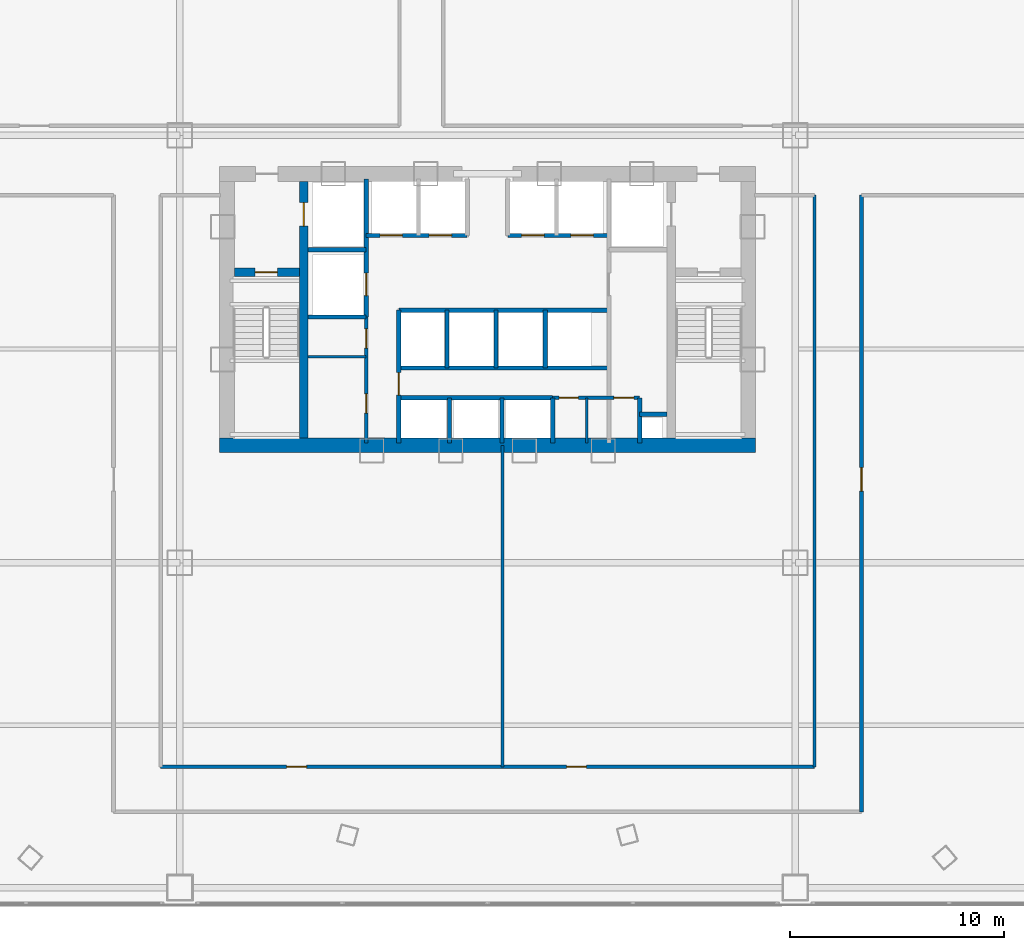
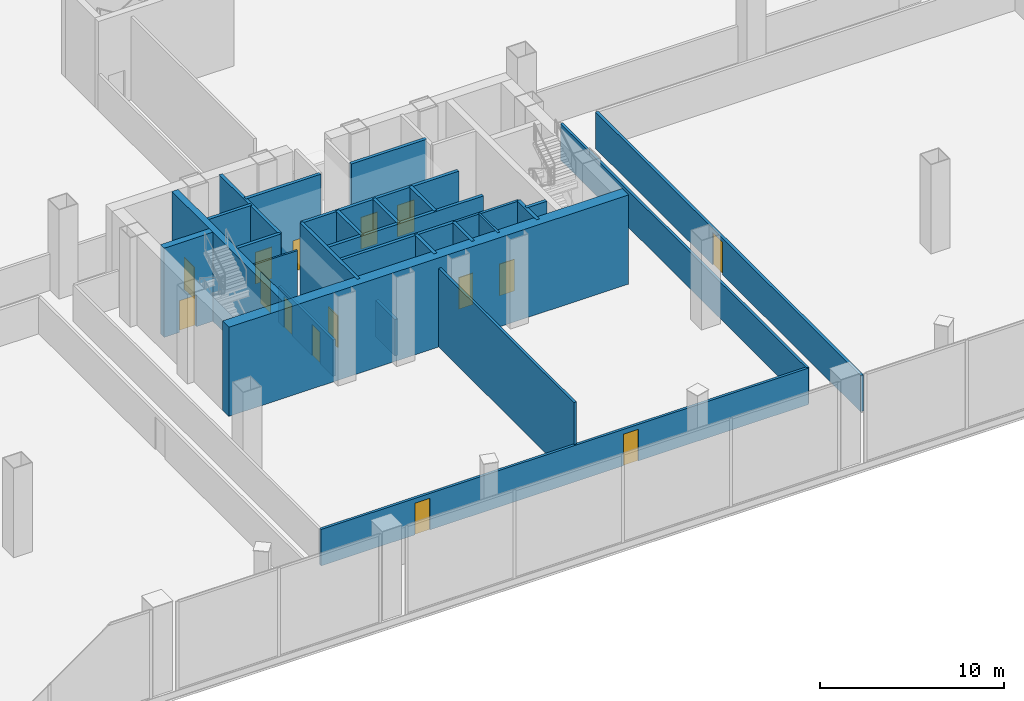
# One storey, part 34 of 41: 28 walls, 15 doors, 15 openings.
"""IFC4 building model written with IfcOpenShell, lengths in metres."""

from ifc_helpers import new_model, si_unit, direction, frame, frame_2d, origin, origin_with_axes, place, context, subcontext, project, spatial, rectangle, extrude, source, transform, mapped, material, layer, layer_set, type_object, element, fill, save


model = new_model("IFC4")

# Units and contexts
model_context = context("Model", 3, precision=1e-05, world=origin(), true_north=direction((0.0, 1.0)))
body_context = subcontext(model_context, "Body", "Model", "MODEL_VIEW")
ifc_project = project(units=[si_unit("LENGTHUNIT", "METRE"), si_unit("AREAUNIT", "SQUARE_METRE"), si_unit("VOLUMEUNIT", "CUBIC_METRE"), si_unit("PLANEANGLEUNIT", "RADIAN"), si_unit("MASSUNIT", "GRAM", prefix="KILO"), si_unit("THERMODYNAMICTEMPERATUREUNIT", "KELVIN"), si_unit("POWERUNIT", "WATT")], contexts=[model_context])

# Site, building, storey
site_placement = place(None, origin())
site = spatial("IfcSite", under=ifc_project, at=site_placement, CompositionType="ELEMENT")
building_placement = place(site_placement, origin())
building = spatial("IfcBuilding", under=site, at=building_placement, Name="Yunzhuo Pagoda Commons", CompositionType="ELEMENT")
storey_placement = place(building_placement, frame((0.0, 0.0, 19.199951171875)))
storey = spatial("IfcBuildingStorey", under=building, at=storey_placement, Name="L05", CompositionType="ELEMENT", Elevation=19.199951171875)

# Wall
ifc_material_1 = material(Name="Concrete C60", Category="concrete")
ifc_layer_1 = layer(ifc_material_1, 0.699951171875)
ifc_layer_set_1 = layer_set([ifc_layer_1], Name="Concrete C60")
wall_type_1 = type_object("IfcWallType", Name="W-C01 Lower Core Shear Wall 700", PredefinedType="SHEAR", material=ifc_layer_set_1)
wall_1_placement = place(storey_placement, frame((35.449951171875, 27.5, 0.0), z_axis=(0.0, 0.0, 1.0), x_axis=(1.0, 0.0, 0.0)))
element("IfcWall", 1, at=wall_1_placement, inside=storey, type_object=wall_type_1, Name="L05 core shear wall S", PredefinedType="SHEAR", context=body_context, shape_type="SweptSolid", body=[
    extrude(rectangle(XDim=25.10009765625, YDim=0.699951171875, at=frame_2d((12.550048828125, 0.0))), origin(), (0.0, 0.0, 1.0), 5.920166015625),
])

# Wall, openings, doors
ifc_material_2 = material(Name="Gypsum plasterboard on acoustic stud")
ifc_layer_2 = layer(ifc_material_2, 0.159912109375)
ifc_layer_set_2 = layer_set([ifc_layer_2], Name="Gypsum plasterboard on acoustic stud")
wall_type_2 = type_object("IfcWallType", Name="W-COR1 Tower Rated Corridor Wall 160", PredefinedType="PARTITIONING", material=ifc_layer_set_2)
wall_2_placement = place(storey_placement, frame((42.320068359375, 27.60009765625, 0.0), z_axis=(0.0, 0.0, 1.0), x_axis=(0.0, 1.0, 0.0)))
wall_2 = element("IfcWall", 2, at=wall_2_placement, inside=storey, type_object=wall_type_2, Name="L05 interior wall IW-L05-CSWE", PredefinedType="PARTITIONING", context=body_context, shape_type="SweptSolid", body=[
    extrude(rectangle(XDim=5.89990234375, YDim=0.159912109375, at=frame_2d((2.949951171875, 0.0))), origin(), (0.0, 0.0, 1.0), 2.420166015625),
])
opening_1_placement = place(wall_2_placement, frame((1.39990234375, 0.0, 0.0)))
opening_1 = element("IfcOpeningElement", 3, at=opening_1_placement, cuts=wall_2, Name="Opening D-03", PredefinedType="OPENING", context=body_context, shape_type="SweptSolid", body=[
    extrude(rectangle(XDim=0.89990234375, YDim=2.10009765625, at=frame_2d((0.449951171875, 1.050048828125))), frame((0.0, 0.08984375, 0.0), z_axis=(0.0, -1.0, 0.0), x_axis=(1.0, 0.0, 0.0)), (0.0, 0.0, 1.0), 0.179931640625),
])
opening_2_placement = place(wall_2_placement, frame((4.449951171875, 0.0, 0.0)))
opening_2 = element("IfcOpeningElement", 4, at=opening_2_placement, cuts=wall_2, Name="Opening D-03", PredefinedType="OPENING", context=body_context, shape_type="SweptSolid", body=[
    extrude(rectangle(XDim=0.89990234375, YDim=2.10009765625, at=frame_2d((0.449951171875, 1.050048828125))), frame((0.0, 0.08984375, 0.0), z_axis=(0.0, -1.0, 0.0), x_axis=(1.0, 0.0, 0.0)), (0.0, 0.0, 1.0), 0.179931640625),
])
ifc_material_3 = material(Name="Galvanized fire-resisting metal leaf")
door_type_1 = type_object("IfcDoorType", Name="D-03 Core Service Fire Door 900x2100", OperationType="NOTDEFINED", PredefinedType="DOOR", material=ifc_material_3)
shared_shape_1 = source(origin(), body_context, "Body", "SweptSolid", [
    extrude(rectangle(XDim=0.89990234375, YDim=2.10009765625, at=frame_2d((0.449951171875, 1.050048828125))), frame((0.0, 0.02490234375, 0.0), z_axis=(0.0, -1.0, 0.0), x_axis=(1.0, 0.0, 0.0)), (0.0, 0.0, 1.0), 0.050048828125),
])
door_1_placement = place(opening_1_placement, origin_with_axes())
door_1 = element("IfcDoor", 5, at=door_1_placement, inside=storey, type_object=door_type_1, Name="L05 service store door", OperationType="SINGLE_SWING_LEFT", OverallHeight=2.10009765625, OverallWidth=0.89990234375, PredefinedType="DOOR", context=body_context, shape_type="MappedRepresentation", body=[
    mapped(shared_shape_1, transform((0.0, 0.0, 0.0), scale=1.0)),
])
fill(opening_1, door_1)
door_2_placement = place(opening_2_placement, origin_with_axes())
door_2 = element("IfcDoor", 6, at=door_2_placement, inside=storey, type_object=door_type_1, Name="L05 switch closet door", OperationType="SINGLE_SWING_RIGHT", OverallHeight=2.10009765625, OverallWidth=0.89990234375, PredefinedType="DOOR", context=body_context, shape_type="MappedRepresentation", body=[
    mapped(shared_shape_1, transform((0.0, 0.0, 0.0), scale=1.0)),
])
fill(opening_2, door_2)

wall_3_placement = place(storey_placement, frame((51.050048828125, 29.719970703125, 0.0), z_axis=(0.0, 0.0, 1.0), x_axis=(1.0, 0.0, 0.0)))
wall_3 = element("IfcWall", 7, at=wall_3_placement, inside=storey, type_object=wall_type_2, Name="L05 interior wall IW-L05-CSES", PredefinedType="PARTITIONING", context=body_context, shape_type="SweptSolid", body=[
    extrude(rectangle(XDim=4.070068359375, YDim=0.159912109375, at=frame_2d((2.03515625, 0.0))), origin(), (0.0, 0.0, 1.0), 5.920166015625),
])
opening_3_placement = place(wall_3_placement, frame((0.300048828125, 0.0, 0.0)))
opening_3 = element("IfcOpeningElement", 8, at=opening_3_placement, cuts=wall_3, Name="Opening D-03", PredefinedType="OPENING", context=body_context, shape_type="SweptSolid", body=[
    extrude(rectangle(XDim=0.89990234375, YDim=2.10009765625, at=frame_2d((0.449951171875, 1.050048828125))), frame((0.0, 0.08984375, 0.0), z_axis=(0.0, -1.0, 0.0), x_axis=(1.0, 0.0, 0.0)), (0.0, 0.0, 1.0), 0.179931640625),
])
opening_4_placement = place(wall_3_placement, frame((2.860107421875, 0.0, 0.0)))
opening_4 = element("IfcOpeningElement", 9, at=opening_4_placement, cuts=wall_3, Name="Opening D-11", PredefinedType="OPENING", context=body_context, shape_type="SweptSolid", body=[
    extrude(rectangle(XDim=0.93994140625, YDim=2.10009765625, at=frame_2d((0.469970703125, 1.050048828125))), frame((0.0, 0.08984375, 0.0), z_axis=(0.0, -1.0, 0.0), x_axis=(1.0, 0.0, 0.0)), (0.0, 0.0, 1.0), 0.179931640625),
])
door_3_placement = place(opening_3_placement, origin_with_axes())
door_3 = element("IfcDoor", 10, at=door_3_placement, inside=storey, type_object=door_type_1, Name="L05 cleaner door", OperationType="SINGLE_SWING_LEFT", OverallHeight=2.10009765625, OverallWidth=0.89990234375, PredefinedType="DOOR", context=body_context, shape_type="MappedRepresentation", body=[
    mapped(shared_shape_1, transform((0.0, 0.0, 0.0), scale=1.0)),
])
fill(opening_3, door_3)
door_type_2 = type_object("IfcDoorType", Name="D-11 Accessible Washroom Fire Door 940x2100", OperationType="NOTDEFINED", PredefinedType="DOOR", material=ifc_material_3)
shared_shape_2 = source(origin(), body_context, "Body", "SweptSolid", [
    extrude(rectangle(XDim=0.93994140625, YDim=2.10009765625, at=frame_2d((0.469970703125, 1.050048828125))), frame((0.0, 0.02490234375, 0.0), z_axis=(0.0, -1.0, 0.0), x_axis=(1.0, 0.0, 0.0)), (0.0, 0.0, 1.0), 0.050048828125),
])
door_4_placement = place(opening_4_placement, origin_with_axes())
door_4 = element("IfcDoor", 11, at=door_4_placement, inside=storey, type_object=door_type_2, Name="L05 core WC door", OperationType="SINGLE_SWING_RIGHT", OverallHeight=2.10009765625, OverallWidth=0.93994140625, PredefinedType="DOOR", context=body_context, shape_type="MappedRepresentation", body=[
    mapped(shared_shape_2, transform((0.0, 0.0, 0.0), scale=1.0)),
])
fill(opening_4, door_4)

wall_4_placement = place(storey_placement, frame((32.699951171875, 12.449951171875, 0.0), z_axis=(0.0, 0.0, 1.0), x_axis=(1.0, 0.0, 0.0)))
wall_4 = element("IfcWall", 12, at=wall_4_placement, inside=storey, type_object=wall_type_2, Name="L05 interior wall IW-L05-PSMID", PredefinedType="PARTITIONING", context=body_context, shape_type="SweptSolid", body=[
    extrude(rectangle(XDim=30.60009765625, YDim=0.159912109375, at=frame_2d((15.300048828125, 0.0))), origin(), (0.0, 0.0, 1.0), 2.420166015625),
])
opening_5_placement = place(wall_4_placement, frame((19.0, 0.0, 0.0)))
opening_5 = element("IfcOpeningElement", 13, at=opening_5_placement, cuts=wall_4, Name="Opening D-04", PredefinedType="OPENING", context=body_context, shape_type="SweptSolid", body=[
    extrude(rectangle(XDim=0.919921875, YDim=2.10009765625, at=frame_2d((0.4599609375, 1.050048828125))), frame((0.0, 0.08984375, 0.0), z_axis=(0.0, -1.0, 0.0), x_axis=(1.0, 0.0, 0.0)), (0.0, 0.0, 1.0), 0.179931640625),
])
opening_6_placement = place(wall_4_placement, frame((5.89990234375, 0.0, 0.0)))
opening_6 = element("IfcOpeningElement", 14, at=opening_6_placement, cuts=wall_4, Name="Opening D-11", PredefinedType="OPENING", context=body_context, shape_type="SweptSolid", body=[
    extrude(rectangle(XDim=0.93994140625, YDim=2.10009765625, at=frame_2d((0.469970703125, 1.050048828125))), frame((0.0, 0.08984375, 0.0), z_axis=(0.0, -1.0, 0.0), x_axis=(1.0, 0.0, 0.0)), (0.0, 0.0, 1.0), 0.179931640625),
])
door_5_placement = place(opening_6_placement, origin_with_axes())
door_5 = element("IfcDoor", 15, at=door_5_placement, inside=storey, type_object=door_type_2, Name="L05 washroom door", OperationType="SINGLE_SWING_RIGHT", OverallHeight=2.10009765625, OverallWidth=0.93994140625, PredefinedType="DOOR", context=body_context, shape_type="MappedRepresentation", body=[
    mapped(shared_shape_2, transform((0.0, 0.0, 0.0), scale=1.0)),
])
fill(opening_6, door_5)
ifc_material_4 = material(Name="Powder-coated aluminium and timber acoustic leaf", Category="wood")
door_type_3 = type_object("IfcDoorType", Name="D-04 Bedroom & Study Interior Door 920x2100", OperationType="NOTDEFINED", PredefinedType="DOOR", material=ifc_material_4)
shared_shape_3 = source(origin(), body_context, "Body", "SweptSolid", [
    extrude(rectangle(XDim=0.919921875, YDim=2.10009765625, at=frame_2d((0.4599609375, 1.050048828125))), frame((0.0, 0.02490234375, 0.0), z_axis=(0.0, -1.0, 0.0), x_axis=(1.0, 0.0, 0.0)), (0.0, 0.0, 1.0), 0.050048828125),
])
door_6_placement = place(opening_5_placement, origin_with_axes())
door_6 = element("IfcDoor", 16, at=door_6_placement, inside=storey, type_object=door_type_3, Name="L05 Central Laundry Hub door", OperationType="SINGLE_SWING_LEFT", OverallHeight=2.10009765625, OverallWidth=0.919921875, PredefinedType="DOOR", context=body_context, shape_type="MappedRepresentation", body=[
    mapped(shared_shape_3, transform((0.0, 0.0, 0.0), scale=1.0)),
])
fill(opening_5, door_6)

# Walls
wall_5_placement = place(storey_placement, frame((63.300048828125, 12.449951171875, 0.0), z_axis=(0.0, 0.0, 1.0), x_axis=(0.0, 1.0, 0.0)))
element("IfcWall", 17, at=wall_5_placement, inside=storey, type_object=wall_type_2, Name="L05 interior wall IW-L05-PSME", PredefinedType="PARTITIONING", context=body_context, shape_type="SweptSolid", body=[
    extrude(rectangle(XDim=26.75, YDim=0.159912109375, at=frame_2d((13.375, 0.0))), origin(), (0.0, 0.0, 1.0), 2.420166015625),
])
wall_6_placement = place(storey_placement, frame((48.699951171875, 12.449951171875, 0.0), z_axis=(0.0, 0.0, 1.0), x_axis=(0.0, 1.0, 0.0)))
element("IfcWall", 18, at=wall_6_placement, inside=storey, type_object=wall_type_2, Name="L05 interior wall IW-L05-PWCDV", PredefinedType="PARTITIONING", context=body_context, shape_type="SweptSolid", body=[
    extrude(rectangle(XDim=15.050048828125, YDim=0.159912109375, at=frame_2d((7.52490234375, 0.0))), origin(), (0.0, 0.0, 1.0), 5.219970703125),
])
ifc_layer_3 = layer(ifc_material_2, 0.1201171875)
ifc_layer_set_3 = layer_set([ifc_layer_3], Name="Gypsum plasterboard on acoustic stud")
wall_type_3 = type_object("IfcWallType", Name="W-PRT1 Suite & Bathroom Partition 120", PredefinedType="PARTITIONING", material=ifc_layer_set_3)
wall_7_placement = place(storey_placement, frame((39.60009765625, 31.64990234375, 0.0), z_axis=(0.0, 0.0, 1.0), x_axis=(1.0, 0.0, 0.0)))
element("IfcWall", 19, at=wall_7_placement, inside=storey, type_object=wall_type_3, Name="L05 interior wall IW-L05-CD1", PredefinedType="PARTITIONING", context=body_context, shape_type="SweptSolid", body=[
    extrude(rectangle(XDim=2.719970703125, YDim=0.1201171875, at=frame_2d((1.35986328125, 0.0))), origin(), (0.0, 0.0, 1.0), 5.920166015625),
])
wall_8_placement = place(storey_placement, frame((52.64990234375, 27.60009765625, 0.0), z_axis=(0.0, 0.0, 1.0), x_axis=(0.0, 1.0, 0.0)))
element("IfcWall", 20, at=wall_8_placement, inside=storey, type_object=wall_type_3, Name="L05 interior wall IW-L05-CD2", PredefinedType="PARTITIONING", context=body_context, shape_type="SweptSolid", body=[
    extrude(rectangle(XDim=2.119873046875, YDim=0.1201171875, at=frame_2d((1.06005859375, 0.0))), origin(), (0.0, 0.0, 1.0), 5.920166015625),
])

# Wall, opening, door
ifc_layer_4 = layer(ifc_material_2, 0.179931640625)
ifc_layer_set_4 = layer_set([ifc_layer_4], Name="Gypsum plasterboard on acoustic stud")
wall_type_4 = type_object("IfcWallType", Name="W-PRT2 Acoustic Unit Demising Wall 180", PredefinedType="PARTITIONING", material=ifc_layer_set_4)
wall_9_placement = place(storey_placement, frame((65.5, 10.35009765625, 0.0), z_axis=(0.0, 0.0, 1.0), x_axis=(0.0, 1.0, 0.0)))
wall_9 = element("IfcWall", 21, at=wall_9_placement, inside=storey, type_object=wall_type_4, Name="L05 interior wall IW-L05-PEAST", PredefinedType="PARTITIONING", context=body_context, shape_type="SweptSolid", body=[
    extrude(rectangle(XDim=28.849853515625, YDim=0.179931640625, at=frame_2d((14.4248046875, 0.0))), origin(), (0.0, 0.0, 1.0), 2.420166015625),
])
opening_7_placement = place(wall_9_placement, frame((15.0, 0.0, 0.0)))
opening_7 = element("IfcOpeningElement", 22, at=opening_7_placement, cuts=wall_9, Name="Opening D-09", PredefinedType="OPENING", context=body_context, shape_type="SweptSolid", body=[
    extrude(rectangle(XDim=1.10009765625, YDim=2.14990234375, at=frame_2d((0.550048828125, 1.074951171875))), frame((0.0, 0.10009765625, 0.0), z_axis=(0.0, -1.0, 0.0), x_axis=(1.0, 0.0, 0.0)), (0.0, 0.0, 1.0), 0.199951171875),
])
door_type_4 = type_object("IfcDoorType", Name="D-09 Podium Commons Hall Fire Door 1100x2150", OperationType="NOTDEFINED", PredefinedType="DOOR", material=ifc_material_3)
shared_shape_4 = source(origin(), body_context, "Body", "SweptSolid", [
    extrude(rectangle(XDim=1.10009765625, YDim=2.14990234375, at=frame_2d((0.550048828125, 1.074951171875))), frame((0.0, 0.02490234375, 0.0), z_axis=(0.0, -1.0, 0.0), x_axis=(1.0, 0.0, 0.0)), (0.0, 0.0, 1.0), 0.050048828125),
])
door_7_placement = place(opening_7_placement, frame((1.10009765625, 0.0, 0.0), z_axis=(0.0, 0.0, 1.0), x_axis=(-1.0, 0.0, 0.0)))
door_7 = element("IfcDoor", 23, at=door_7_placement, inside=storey, type_object=door_type_4, Name="L05 Music Practice Suite door", OperationType="SINGLE_SWING_RIGHT", OverallHeight=2.14990234375, OverallWidth=1.10009765625, PredefinedType="DOOR", context=body_context, shape_type="MappedRepresentation", body=[
    mapped(shared_shape_4, transform((0.0, 0.0, 0.0), scale=1.0)),
])
fill(opening_7, door_7)

ifc_layer_5 = layer(ifc_material_1, 0.39990234375)
ifc_layer_set_5 = layer_set([ifc_layer_5], Name="Concrete C60")
wall_type_5 = type_object("IfcWallType", Name="W-S01 Internal Core Shear Web 400", PredefinedType="SHEAR", material=ifc_layer_set_5)
wall_10_placement = place(storey_placement, frame((39.39990234375, 27.85009765625, 0.0), z_axis=(0.0, 0.0, 1.0), x_axis=(0.0, 1.0, 0.0)))
wall_10 = element("IfcWall", 24, at=wall_10_placement, inside=storey, type_object=wall_type_5, Name="L05 core shear wall WEBW", PredefinedType="SHEAR", context=body_context, shape_type="SweptSolid", body=[
    extrude(rectangle(XDim=12.0, YDim=0.39990234375, at=frame_2d((6.0, 0.0))), origin(), (0.0, 0.0, 1.0), 5.920166015625),
])
opening_8_placement = place(wall_10_placement, frame((9.89990234375, 0.0, 0.0)))
opening_8 = element("IfcOpeningElement", 25, at=opening_8_placement, cuts=wall_10, Name="Opening LD-01", PredefinedType="OPENING", context=body_context, shape_type="SweptSolid", body=[
    extrude(rectangle(XDim=1.10009765625, YDim=2.10009765625, at=frame_2d((0.550048828125, 1.050048828125))), frame((0.0, 0.2099609375, 0.0), z_axis=(0.0, -1.0, 0.0), x_axis=(1.0, 0.0, 0.0)), (0.0, 0.0, 1.0), 0.419921875),
])
door_type_5 = type_object("IfcDoorType", Name="LD-01 Firefighting Lift Landing Door 1100x2100", OperationType="DOUBLE_DOOR_SLIDING", PredefinedType="DOOR", material=ifc_material_3)
shared_shape_5 = source(origin(), body_context, "Body", "SweptSolid", [
    extrude(rectangle(XDim=1.10009765625, YDim=2.10009765625, at=frame_2d((0.550048828125, 1.050048828125))), frame((0.0, 0.02490234375, 0.0), z_axis=(0.0, -1.0, 0.0), x_axis=(1.0, 0.0, 0.0)), (0.0, 0.0, 1.0), 0.050048828125),
])
door_8_placement = place(opening_8_placement, frame((1.10009765625, 0.0, 0.0), z_axis=(0.0, 0.0, 1.0), x_axis=(-1.0, 0.0, 0.0)))
door_8 = element("IfcDoor", 26, at=door_8_placement, inside=storey, type_object=door_type_5, Name="L05 Firefighting lift FL-1 landing door", OperationType="DOUBLE_DOOR_SLIDING", OverallHeight=2.10009765625, OverallWidth=1.10009765625, PredefinedType="DOOR", context=body_context, shape_type="MappedRepresentation", body=[
    mapped(shared_shape_5, transform((0.0, 0.0, 0.0), scale=1.0)),
])
fill(opening_8, door_8)

wall_11_placement = place(storey_placement, frame((36.14990234375, 35.60009765625, 0.0), z_axis=(0.0, 0.0, 1.0), x_axis=(1.0, 0.0, 0.0)))
wall_11 = element("IfcWall", 27, at=wall_11_placement, inside=storey, type_object=wall_type_5, Name="L05 core shear wall STW", PredefinedType="SHEAR", context=body_context, shape_type="SweptSolid", body=[
    extrude(rectangle(XDim=3.050048828125, YDim=0.39990234375, at=frame_2d((1.52490234375, 0.0))), origin(), (0.0, 0.0, 1.0), 5.920166015625),
])
opening_9_placement = place(wall_11_placement, frame((0.969970703125, 0.0, 0.0)))
opening_9 = element("IfcOpeningElement", 28, at=opening_9_placement, cuts=wall_11, Name="Opening D-01", PredefinedType="OPENING", context=body_context, shape_type="SweptSolid", body=[
    extrude(rectangle(XDim=1.050048828125, YDim=2.10009765625, at=frame_2d((0.52490234375, 1.050048828125))), frame((0.0, 0.2099609375, 0.0), z_axis=(0.0, -1.0, 0.0), x_axis=(1.0, 0.0, 0.0)), (0.0, 0.0, 1.0), 0.419921875),
])
door_type_6 = type_object("IfcDoorType", Name="D-01 Smokeproof Stair Fire Door 1050x2100", OperationType="NOTDEFINED", PredefinedType="DOOR", material=ifc_material_3)
shared_shape_6 = source(origin(), body_context, "Body", "SweptSolid", [
    extrude(rectangle(XDim=1.050048828125, YDim=2.10009765625, at=frame_2d((0.52490234375, 1.050048828125))), frame((0.0, 0.02490234375, 0.0), z_axis=(0.0, -1.0, 0.0), x_axis=(1.0, 0.0, 0.0)), (0.0, 0.0, 1.0), 0.050048828125),
])
door_9_placement = place(opening_9_placement, frame((1.050048828125, 0.0, 0.0), z_axis=(0.0, 0.0, 1.0), x_axis=(-1.0, 0.0, 0.0)))
door_9 = element("IfcDoor", 29, at=door_9_placement, inside=storey, type_object=door_type_6, Name="L05 Stair ST1 fire door", OperationType="SINGLE_SWING_LEFT", OverallHeight=2.10009765625, OverallWidth=1.050048828125, PredefinedType="DOOR", context=body_context, shape_type="MappedRepresentation", body=[
    mapped(shared_shape_6, transform((0.0, 0.0, 0.0), scale=1.0)),
])
fill(opening_9, door_9)

ifc_material_5 = material(Name="Concrete C40", Category="concrete")
ifc_layer_6 = layer(ifc_material_5, 0.199951171875)
ifc_layer_set_6 = layer_set([ifc_layer_6], Name="Concrete C40")
wall_type_6 = type_object("IfcWallType", Name="W-SHF Shaft & Stair Enclosure Wall 200", PredefinedType="SOLIDWALL", material=ifc_layer_set_6)
wall_12_placement = place(storey_placement, frame((42.320068359375, 33.5, 0.0), z_axis=(0.0, 0.0, 1.0), x_axis=(0.0, 1.0, 0.0)))
wall_12 = element("IfcWall", 30, at=wall_12_placement, inside=storey, type_object=wall_type_6, Name="L05 interior wall IW-L05-FL1E", PredefinedType="SOLIDWALL", context=body_context, shape_type="SweptSolid", body=[
    extrude(rectangle(XDim=6.449951171875, YDim=0.199951171875, at=frame_2d((3.22509765625, 0.0))), origin(), (0.0, 0.0, 1.0), 5.920166015625),
])
opening_10_placement = place(wall_12_placement, frame((1.0, 0.0, 0.0)))
opening_10 = element("IfcOpeningElement", 31, at=opening_10_placement, cuts=wall_12, Name="Opening LD-02", PredefinedType="OPENING", context=body_context, shape_type="SweptSolid", body=[
    extrude(rectangle(XDim=1.050048828125, YDim=2.10009765625, at=frame_2d((0.52490234375, 1.050048828125))), frame((0.0, 0.10986328125, 0.0), z_axis=(0.0, -1.0, 0.0), x_axis=(1.0, 0.0, 0.0)), (0.0, 0.0, 1.0), 0.219970703125),
])
door_type_7 = type_object("IfcDoorType", Name="LD-02 Passenger Lift Landing Door 1050x2100", OperationType="DOUBLE_DOOR_SLIDING", PredefinedType="DOOR", material=ifc_material_3)
door_10_placement = place(opening_10_placement, origin_with_axes())
door_10 = element("IfcDoor", 32, at=door_10_placement, inside=storey, type_object=door_type_7, Name="L05 Service lift SL-1 landing door", OperationType="DOUBLE_DOOR_SLIDING", OverallHeight=2.10009765625, OverallWidth=1.050048828125, PredefinedType="DOOR", context=body_context, shape_type="MappedRepresentation", body=[
    mapped(shared_shape_6, transform((0.0, 0.0, 0.0), scale=1.0)),
])
fill(opening_10, door_10)

# Walls
for number, where, z_axis, x_axis, name in (
    (33, (39.60009765625, 36.64990234375, 0.0), (0.0, 0.0, 1.0), (1.0, 0.0, 0.0), "L05 interior wall IW-L05-FL1S"),
    (34, (39.60009765625, 33.5, 0.0), (0.0, 0.0, 1.0), (1.0, 0.0, 0.0), "L05 interior wall IW-L05-SL1S"),
):
    element("IfcWall", number, at=place(storey_placement, frame(where, z_axis=z_axis, x_axis=x_axis)), inside=storey, type_object=wall_type_6, Name=name, PredefinedType="SOLIDWALL", context=body_context, shape_type="SweptSolid", body=[
        extrude(rectangle(XDim=2.719970703125, YDim=0.199951171875, at=frame_2d((1.35986328125, 0.0))), origin(), (0.0, 0.0, 1.0), 5.920166015625),
    ])

# Wall, openings, doors
wall_13_placement = place(storey_placement, frame((42.320068359375, 37.320068359375, 0.0), z_axis=(0.0, 0.0, 1.0), x_axis=(1.0, 0.0, 0.0)))
wall_13 = element("IfcWall", 35, at=wall_13_placement, inside=storey, type_object=wall_type_6, Name="L05 interior wall IW-L05-LBNW", PredefinedType="SOLIDWALL", context=body_context, shape_type="SweptSolid", body=[
    extrude(rectangle(XDim=4.72998046875, YDim=0.199951171875, at=frame_2d((2.364990234375, 0.0))), origin(), (0.0, 0.0, 1.0), 5.920166015625),
])
opening_11_placement = place(wall_13_placement, frame((0.64990234375, 0.0, 0.0)))
opening_11 = element("IfcOpeningElement", 36, at=opening_11_placement, cuts=wall_13, Name="Opening LD-02", PredefinedType="OPENING", context=body_context, shape_type="SweptSolid", body=[
    extrude(rectangle(XDim=1.050048828125, YDim=2.10009765625, at=frame_2d((0.52490234375, 1.050048828125))), frame((0.0, 0.10986328125, 0.0), z_axis=(0.0, -1.0, 0.0), x_axis=(1.0, 0.0, 0.0)), (0.0, 0.0, 1.0), 0.219970703125),
])
opening_12_placement = place(wall_13_placement, frame((2.949951171875, 0.0, 0.0)))
opening_12 = element("IfcOpeningElement", 37, at=opening_12_placement, cuts=wall_13, Name="Opening LD-02", PredefinedType="OPENING", context=body_context, shape_type="SweptSolid", body=[
    extrude(rectangle(XDim=1.050048828125, YDim=2.10009765625, at=frame_2d((0.52490234375, 1.050048828125))), frame((0.0, 0.10986328125, 0.0), z_axis=(0.0, -1.0, 0.0), x_axis=(1.0, 0.0, 0.0)), (0.0, 0.0, 1.0), 0.219970703125),
])
door_11_placement = place(opening_11_placement, frame((1.050048828125, 0.0, 0.0), z_axis=(0.0, 0.0, 1.0), x_axis=(-1.0, 0.0, 0.0)))
door_11 = element("IfcDoor", 38, at=door_11_placement, inside=storey, type_object=door_type_7, Name="L05 Passenger lift PL-L1 landing door", OperationType="DOUBLE_DOOR_SLIDING", OverallHeight=2.10009765625, OverallWidth=1.050048828125, PredefinedType="DOOR", context=body_context, shape_type="MappedRepresentation", body=[
    mapped(shared_shape_6, transform((0.0, 0.0, 0.0), scale=1.0)),
])
fill(opening_11, door_11)
door_12_placement = place(opening_12_placement, frame((1.050048828125, 0.0, 0.0), z_axis=(0.0, 0.0, 1.0), x_axis=(-1.0, 0.0, 0.0)))
door_12 = element("IfcDoor", 39, at=door_12_placement, inside=storey, type_object=door_type_7, Name="L05 Passenger lift PL-L2 landing door", OperationType="DOUBLE_DOOR_SLIDING", OverallHeight=2.10009765625, OverallWidth=1.050048828125, PredefinedType="DOOR", context=body_context, shape_type="MappedRepresentation", body=[
    mapped(shared_shape_6, transform((0.0, 0.0, 0.0), scale=1.0)),
])
fill(opening_12, door_12)

wall_14_placement = place(storey_placement, frame((48.949951171875, 37.320068359375, 0.0), z_axis=(0.0, 0.0, 1.0), x_axis=(1.0, 0.0, 0.0)))
wall_14 = element("IfcWall", 40, at=wall_14_placement, inside=storey, type_object=wall_type_6, Name="L05 interior wall IW-L05-LBNE", PredefinedType="SOLIDWALL", context=body_context, shape_type="SweptSolid", body=[
    extrude(rectangle(XDim=4.72998046875, YDim=0.199951171875, at=frame_2d((2.364990234375, 0.0))), origin(), (0.0, 0.0, 1.0), 5.920166015625),
])
opening_13_placement = place(wall_14_placement, frame((0.64990234375, 0.0, 0.0)))
opening_13 = element("IfcOpeningElement", 41, at=opening_13_placement, cuts=wall_14, Name="Opening LD-02", PredefinedType="OPENING", context=body_context, shape_type="SweptSolid", body=[
    extrude(rectangle(XDim=1.050048828125, YDim=2.10009765625, at=frame_2d((0.52490234375, 1.050048828125))), frame((0.0, 0.10986328125, 0.0), z_axis=(0.0, -1.0, 0.0), x_axis=(1.0, 0.0, 0.0)), (0.0, 0.0, 1.0), 0.219970703125),
])
opening_14_placement = place(wall_14_placement, frame((2.949951171875, 0.0, 0.0)))
opening_14 = element("IfcOpeningElement", 42, at=opening_14_placement, cuts=wall_14, Name="Opening LD-02", PredefinedType="OPENING", context=body_context, shape_type="SweptSolid", body=[
    extrude(rectangle(XDim=1.050048828125, YDim=2.10009765625, at=frame_2d((0.52490234375, 1.050048828125))), frame((0.0, 0.10986328125, 0.0), z_axis=(0.0, -1.0, 0.0), x_axis=(1.0, 0.0, 0.0)), (0.0, 0.0, 1.0), 0.219970703125),
])
door_13_placement = place(opening_13_placement, frame((1.050048828125, 0.0, 0.0), z_axis=(0.0, 0.0, 1.0), x_axis=(-1.0, 0.0, 0.0)))
door_13 = element("IfcDoor", 43, at=door_13_placement, inside=storey, type_object=door_type_7, Name="L05 Passenger lift PL-L3 landing door", OperationType="DOUBLE_DOOR_SLIDING", OverallHeight=2.10009765625, OverallWidth=1.050048828125, PredefinedType="DOOR", context=body_context, shape_type="MappedRepresentation", body=[
    mapped(shared_shape_6, transform((0.0, 0.0, 0.0), scale=1.0)),
])
fill(opening_13, door_13)
door_14_placement = place(opening_14_placement, frame((1.050048828125, 0.0, 0.0), z_axis=(0.0, 0.0, 1.0), x_axis=(-1.0, 0.0, 0.0)))
door_14 = element("IfcDoor", 44, at=door_14_placement, inside=storey, type_object=door_type_7, Name="L05 Passenger lift PL-L4 landing door", OperationType="DOUBLE_DOOR_SLIDING", OverallHeight=2.10009765625, OverallWidth=1.050048828125, PredefinedType="DOOR", context=body_context, shape_type="MappedRepresentation", body=[
    mapped(shared_shape_6, transform((0.0, 0.0, 0.0), scale=1.0)),
])
fill(opening_14, door_14)

# Wall
wall_15_placement = place(storey_placement, frame((43.85009765625, 33.820068359375, 0.0), z_axis=(0.0, 0.0, 1.0), x_axis=(1.0, 0.0, 0.0)))
element("IfcWall", 45, at=wall_15_placement, inside=storey, type_object=wall_type_6, Name="L05 interior wall IW-L05-MLBS", PredefinedType="SOLIDWALL", context=body_context, shape_type="SweptSolid", body=[
    extrude(rectangle(XDim=9.829833984375, YDim=0.199951171875, at=frame_2d((4.9150390625, 0.0))), origin(), (0.0, 0.0, 1.0), 5.920166015625),
])

# Wall, opening, door
wall_16_placement = place(storey_placement, frame((43.85009765625, 27.60009765625, 0.0), z_axis=(0.0, 0.0, 1.0), x_axis=(0.0, 1.0, 0.0)))
wall_16 = element("IfcWall", 46, at=wall_16_placement, inside=storey, type_object=wall_type_6, Name="L05 interior wall IW-L05-PLMW", PredefinedType="SOLIDWALL", context=body_context, shape_type="SweptSolid", body=[
    extrude(rectangle(XDim=6.219970703125, YDim=0.199951171875, at=frame_2d((3.10986328125, 0.0))), origin(), (0.0, 0.0, 1.0), 5.920166015625),
])
opening_15_placement = place(wall_16_placement, frame((2.25, 0.0, 0.0)))
opening_15 = element("IfcOpeningElement", 47, at=opening_15_placement, cuts=wall_16, Name="Opening D-02", PredefinedType="OPENING", context=body_context, shape_type="SweptSolid", body=[
    extrude(rectangle(XDim=1.050048828125, YDim=2.10009765625, at=frame_2d((0.52490234375, 1.050048828125))), frame((0.0, 0.10986328125, 0.0), z_axis=(0.0, -1.0, 0.0), x_axis=(1.0, 0.0, 0.0)), (0.0, 0.0, 1.0), 0.219970703125),
])
door_type_8 = type_object("IfcDoorType", Name="D-02 Firefighting Lobby & Refuge Fire Door 1050x2100", OperationType="NOTDEFINED", PredefinedType="DOOR", material=ifc_material_3)
door_15_placement = place(opening_15_placement, frame((1.050048828125, 0.0, 0.0), z_axis=(0.0, 0.0, 1.0), x_axis=(-1.0, 0.0, 0.0)))
door_15 = element("IfcDoor", 48, at=door_15_placement, inside=storey, type_object=door_type_8, Name="L05 High-bank hall west door", OperationType="SINGLE_SWING_LEFT", OverallHeight=2.10009765625, OverallWidth=1.050048828125, PredefinedType="DOOR", context=body_context, shape_type="MappedRepresentation", body=[
    mapped(shared_shape_6, transform((0.0, 0.0, 0.0), scale=1.0)),
])
fill(opening_15, door_15)

# Walls
for number, where, z_axis, x_axis, name in (
    (49, (46.10009765625, 31.1201171875, 0.0), (0.0, 0.0, 1.0), (0.0, 1.0, 0.0), "L05 interior wall IW-L05-PLMD1"),
    (50, (48.39990234375, 31.1201171875, 0.0), (0.0, 0.0, 1.0), (0.0, 1.0, 0.0), "L05 interior wall IW-L05-PLMD2"),
    (51, (50.699951171875, 31.1201171875, 0.0), (0.0, 0.0, 1.0), (0.0, 1.0, 0.0), "L05 interior wall IW-L05-PLMD3"),
):
    element("IfcWall", number, at=place(storey_placement, frame(where, z_axis=z_axis, x_axis=x_axis)), inside=storey, type_object=wall_type_6, Name=name, PredefinedType="SOLIDWALL", context=body_context, shape_type="SweptSolid", body=[
        extrude(rectangle(XDim=2.699951171875, YDim=0.199951171875, at=frame_2d((1.35009765625, 0.0))), origin(), (0.0, 0.0, 1.0), 5.920166015625),
    ])
wall_17_placement = place(storey_placement, frame((43.85009765625, 29.719970703125, 0.0), z_axis=(0.0, 0.0, 1.0), x_axis=(1.0, 0.0, 0.0)))
element("IfcWall", 52, at=wall_17_placement, inside=storey, type_object=wall_type_6, Name="L05 interior wall IW-L05-PLHN", PredefinedType="SOLIDWALL", context=body_context, shape_type="SweptSolid", body=[
    extrude(rectangle(XDim=7.199951171875, YDim=0.199951171875, at=frame_2d((3.60009765625, 0.0))), origin(), (0.0, 0.0, 1.0), 5.920166015625),
])
wall_18_placement = place(storey_placement, frame((51.050048828125, 27.60009765625, 0.0), z_axis=(0.0, 0.0, 1.0), x_axis=(0.0, 1.0, 0.0)))
element("IfcWall", 53, at=wall_18_placement, inside=storey, type_object=wall_type_6, Name="L05 interior wall IW-L05-PLHE", PredefinedType="SOLIDWALL", context=body_context, shape_type="SweptSolid", body=[
    extrude(rectangle(XDim=2.119873046875, YDim=0.199951171875, at=frame_2d((1.06005859375, 0.0))), origin(), (0.0, 0.0, 1.0), 5.920166015625),
])
wall_19_placement = place(storey_placement, frame((43.85009765625, 31.1201171875, 0.0), z_axis=(0.0, 0.0, 1.0), x_axis=(1.0, 0.0, 0.0)))
element("IfcWall", 54, at=wall_19_placement, inside=storey, type_object=wall_type_6, Name="L05 interior wall IW-L05-PLMS2", PredefinedType="SOLIDWALL", context=body_context, shape_type="SweptSolid", body=[
    extrude(rectangle(XDim=9.829833984375, YDim=0.199951171875, at=frame_2d((4.9150390625, 0.0))), origin(), (0.0, 0.0, 1.0), 5.920166015625),
])
wall_20_placement = place(storey_placement, frame((46.22509765625, 27.60009765625, 0.0), z_axis=(0.0, 0.0, 1.0), x_axis=(0.0, 1.0, 0.0)))
element("IfcWall", 55, at=wall_20_placement, inside=storey, type_object=wall_type_6, Name="L05 interior wall IW-L05-PLHD1", PredefinedType="SOLIDWALL", context=body_context, shape_type="SweptSolid", body=[
    extrude(rectangle(XDim=2.119873046875, YDim=0.199951171875, at=frame_2d((1.06005859375, 0.0))), origin(), (0.0, 0.0, 1.0), 2.420166015625),
])
for number, where, z_axis, x_axis, name in (
    (56, (48.675048828125, 27.60009765625, 0.0), (0.0, 0.0, 1.0), (0.0, 1.0, 0.0), "L05 interior wall IW-L05-PLHD2"),
    (57, (55.1201171875, 27.60009765625, 0.0), (0.0, 0.0, 1.0), (0.0, 1.0, 0.0), "L05 interior wall IW-L05-RSHFW"),
):
    element("IfcWall", number, at=place(storey_placement, frame(where, z_axis=z_axis, x_axis=x_axis)), inside=storey, type_object=wall_type_6, Name=name, PredefinedType="SOLIDWALL", context=body_context, shape_type="SweptSolid", body=[
        extrude(rectangle(XDim=2.119873046875, YDim=0.199951171875, at=frame_2d((1.06005859375, 0.0))), origin(), (0.0, 0.0, 1.0), 5.920166015625),
    ])
wall_21_placement = place(storey_placement, frame((55.1201171875, 28.949951171875, 0.0), z_axis=(0.0, 0.0, 1.0), x_axis=(1.0, 0.0, 0.0)))
element("IfcWall", 58, at=wall_21_placement, inside=storey, type_object=wall_type_6, Name="L05 interior wall IW-L05-RSHFN", PredefinedType="SOLIDWALL", context=body_context, shape_type="SweptSolid", body=[
    extrude(rectangle(XDim=1.27978515625, YDim=0.199951171875, at=frame_2d((0.639892578125, 0.0))), origin(), (0.0, 0.0, 1.0), 5.920166015625),
])

save(model, "model.ifc")
